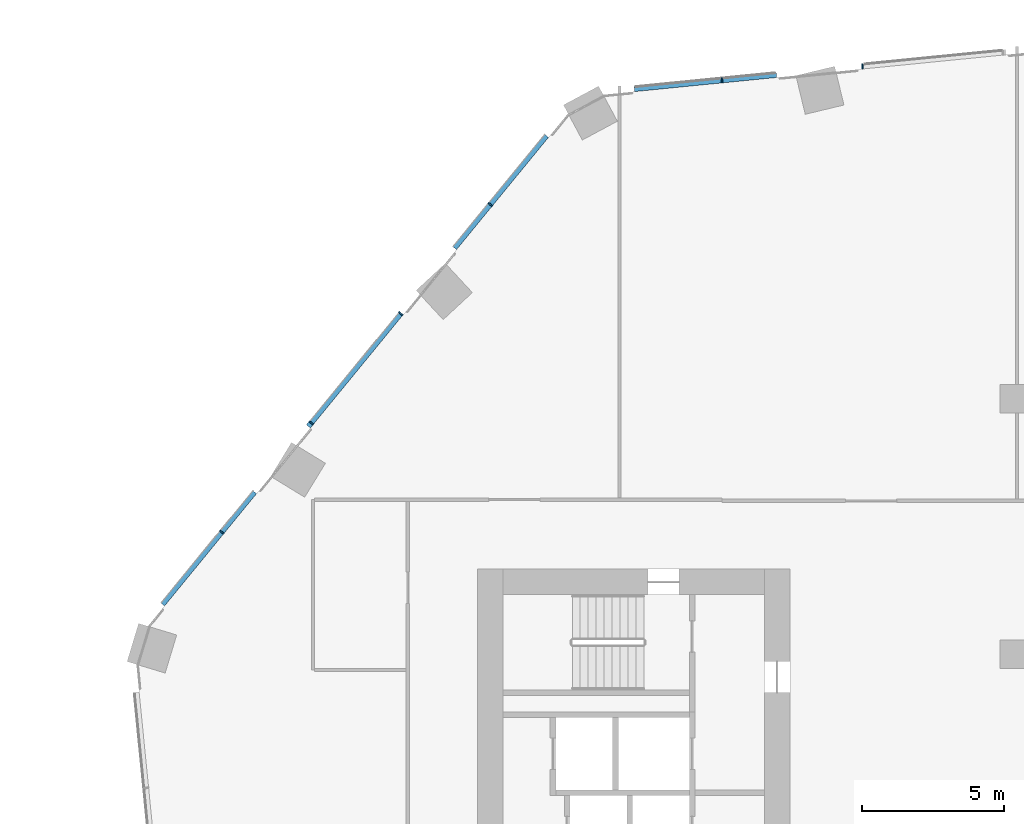
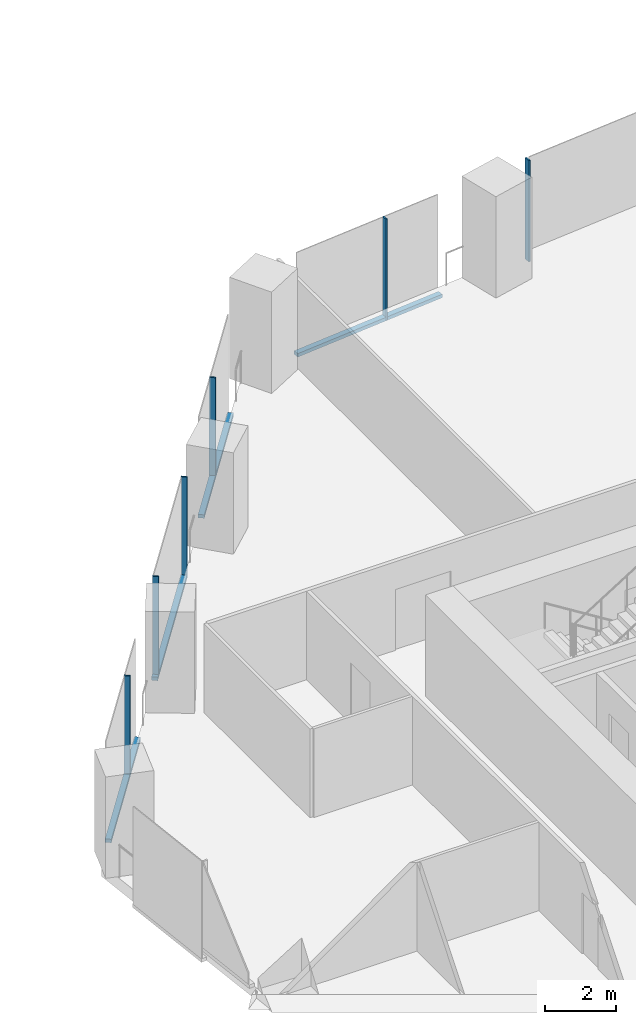
# One storey, part 11 of 34: 10 members, 2 elements without a shape of their own.
"""IFC4 building model written with IfcOpenShell, lengths in metres."""

from ifc_helpers import new_model, si_unit, direction, frame, origin, origin_2d, place, context, subcontext, project, spatial, rectangle, extrude, material, material_profile, profile_set, type_object, element, aggregate, save


model = new_model("IFC4")

# Units and contexts
model_context = context("Model", 3, precision=1e-05, world=origin(), true_north=direction((0.0, 1.0)))
body_context = subcontext(model_context, "Body", "Model", "MODEL_VIEW")
ifc_project = project(units=[si_unit("LENGTHUNIT", "METRE"), si_unit("AREAUNIT", "SQUARE_METRE"), si_unit("VOLUMEUNIT", "CUBIC_METRE"), si_unit("PLANEANGLEUNIT", "RADIAN"), si_unit("MASSUNIT", "GRAM", prefix="KILO")], contexts=[model_context])

# Site, building, storey
site_placement = place(None, origin())
site = spatial("IfcSite", under=ifc_project, at=site_placement, CompositionType="ELEMENT")
building_placement = place(site_placement, origin())
building = spatial("IfcBuilding", under=site, at=building_placement, Name="Orlundy Tower", CompositionType="ELEMENT")
storey_placement = place(building_placement, frame((0.0, 0.0, 37.300048828125)))
storey = spatial("IfcBuildingStorey", under=building, at=storey_placement, Name="L07", CompositionType="ELEMENT", Elevation=37.300048828125)

# Curtain wall, members
ifc_material_1 = material(Name="Aluminium bronze anodised", Category="aluminium")
curtain_wall_type = type_object("IfcCurtainWallType", Name="CW1 wall", PredefinedType="NOTDEFINED", material=ifc_material_1)
curtain_wall_1_placement = place(storey_placement, origin())
curtain_wall_1 = element("IfcCurtainWall", 1, at=curtain_wall_1_placement, inside=storey, type_object=curtain_wall_type, Name="CW1 run 02", PredefinedType="NOTDEFINED")
ifc_material_2 = material(Name="Aluminium bronze anodised", Category="aluminium")
ifc_material_profile_1 = material_profile(ifc_material_2, rectangle(XDim=0.179931640625, YDim=0.050048828125, at=origin_2d()), Name="CW1 mullion 50x180")
ifc_profile_set_1 = profile_set([ifc_material_profile_1], Name="Aluminium bronze anodised")
member_type_1 = type_object("IfcMemberType", Name="CW1 mullion 50x180", PredefinedType="MULLION", material=ifc_profile_set_1)
member_1_placement = place(storey_placement, frame((-27.999267578125, 13.3046875, -0.420166015625), z_axis=(0.0, 0.0, 1.0), x_axis=(-0.773482002143, 0.633818264458, 0.0)))
member_1 = element("IfcMember", 2, at=member_1_placement, type_object=member_type_1, Name="CW1 mullion 10", PredefinedType="MULLION", context=body_context, shape_type="SweptSolid", body=[
    extrude(rectangle(XDim=0.179931640625, YDim=0.050048828125, at=origin_2d()), origin(), (0.0, 0.0, 1.0), 3.5),
])
member_2_placement = place(storey_placement, frame((-24.848876953125, 17.149169921875, -0.420166015625), z_axis=(0.0, 0.0, 1.0), x_axis=(-0.773482002143, 0.633818264458, 0.0)))
member_2 = element("IfcMember", 3, at=member_2_placement, type_object=member_type_1, Name="CW1 mullion 11", PredefinedType="MULLION", context=body_context, shape_type="SweptSolid", body=[
    extrude(rectangle(XDim=0.179931640625, YDim=0.050048828125, at=origin_2d()), origin(), (0.0, 0.0, 1.0), 3.5),
])
member_3_placement = place(storey_placement, frame((-21.698486328125, 20.993896484375, -0.420166015625), z_axis=(0.0, 0.0, 1.0), x_axis=(-0.773482002143, 0.633818264458, 0.0)))
member_3 = element("IfcMember", 4, at=member_3_placement, type_object=member_type_1, Name="CW1 mullion 12", PredefinedType="MULLION", context=body_context, shape_type="SweptSolid", body=[
    extrude(rectangle(XDim=0.179931640625, YDim=0.050048828125, at=origin_2d()), origin(), (0.0, 0.0, 1.0), 3.5),
])
member_4_placement = place(storey_placement, frame((-18.548095703125, 24.83837890625, -0.420166015625), z_axis=(0.0, 0.0, 1.0), x_axis=(-0.773482002143, 0.633818264458, 0.0)))
member_4 = element("IfcMember", 5, at=member_4_placement, type_object=member_type_1, Name="CW1 mullion 13", PredefinedType="MULLION", context=body_context, shape_type="SweptSolid", body=[
    extrude(rectangle(XDim=0.179931640625, YDim=0.050048828125, at=origin_2d()), origin(), (0.0, 0.0, 1.0), 3.5),
])

curtain_wall_2_placement = place(storey_placement, origin())
curtain_wall_2 = element("IfcCurtainWall", 6, at=curtain_wall_2_placement, inside=storey, type_object=curtain_wall_type, Name="CW1 run 03", PredefinedType="NOTDEFINED")
member_5_placement = place(storey_placement, frame((-10.390625, 29.206298828125, -0.420166015625), z_axis=(0.0, 0.0, 1.0), x_axis=(-0.098742763424, 0.995112991912, 0.0)))
member_5 = element("IfcMember", 7, at=member_5_placement, type_object=member_type_1, Name="CW1 mullion 15", PredefinedType="MULLION", context=body_context, shape_type="SweptSolid", body=[
    extrude(rectangle(XDim=0.179931640625, YDim=0.050048828125, at=origin_2d()), origin(), (0.0, 0.0, 1.0), 3.5),
])
member_6_placement = place(storey_placement, frame((-5.444580078125, 29.697265625, -0.420166015625), z_axis=(0.0, 0.0, 1.0), x_axis=(-0.098742763424, 0.995112991912, 0.0)))
member_6 = element("IfcMember", 8, at=member_6_placement, type_object=member_type_1, Name="CW1 mullion 16", PredefinedType="MULLION", context=body_context, shape_type="SweptSolid", body=[
    extrude(rectangle(XDim=0.179931640625, YDim=0.050048828125, at=origin_2d()), origin(), (0.0, 0.0, 1.0), 3.5),
])

# Member
ifc_material_3 = material(Name="Aluminium bronze anodised", Category="aluminium")
ifc_material_profile_2 = material_profile(ifc_material_3, rectangle(XDim=0.179931640625, YDim=0.1201171875, at=origin_2d()), Name="CW1 transom 180x120")
ifc_profile_set_2 = profile_set([ifc_material_profile_2], Name="Aluminium bronze anodised")
member_type_2 = type_object("IfcMemberType", Name="CW1 transom 180x120", PredefinedType="USERDEFINED", material=ifc_profile_set_2)
member_7_placement = place(storey_placement, frame((-30.083740234375, 10.7607421875, -0.360107421875), z_axis=(0.633796814344, 0.773499578621, 0.0), x_axis=(-0.773499578621, 0.633796814344, 0.0)))
member_7 = element("IfcMember", 9, at=member_7_placement, type_object=member_type_2, Name="CW1 transom", ObjectType="TRANSOM", PredefinedType="USERDEFINED", context=body_context, shape_type="SweptSolid", body=[
    extrude(rectangle(XDim=0.179931640625, YDim=0.1201171875, at=origin_2d()), origin(), (0.0, 0.0, 1.0), 5.111572265625),
])

member_8_placement = place(storey_placement, frame((-24.949951171875, 17.02587890625, -0.360107421875), z_axis=(0.633825773843, 0.773475848629, 0.0), x_axis=(-0.773475848629, 0.633825773843, 0.0)))
member_8 = element("IfcMember", 10, at=member_8_placement, type_object=member_type_2, Name="CW1 transom", ObjectType="TRANSOM", PredefinedType="USERDEFINED", context=body_context, shape_type="SweptSolid", body=[
    extrude(rectangle(XDim=0.179931640625, YDim=0.1201171875, at=origin_2d()), origin(), (0.0, 0.0, 1.0), 5.131103515625),
])

member_9_placement = place(storey_placement, frame((-19.8046875, 23.304931640625, -0.360107421875), z_axis=(0.633830949918, 0.773471607059, 0.0), x_axis=(-0.773471607059, 0.633830949918, 0.0)))
member_9 = element("IfcMember", 11, at=member_9_placement, type_object=member_type_2, Name="CW1 transom", ObjectType="TRANSOM", PredefinedType="USERDEFINED", context=body_context, shape_type="SweptSolid", body=[
    extrude(rectangle(XDim=0.179931640625, YDim=0.1201171875, at=origin_2d()), origin(), (0.0, 0.0, 1.0), 5.108642578125),
])

aggregate(curtain_wall_1, [member_1, member_2, member_3, member_4, member_7, member_8, member_9])

member_10_placement = place(storey_placement, frame((-13.475341796875, 28.900390625, -0.360107421875), z_axis=(0.995113828743, 0.098734329616, 0.0), x_axis=(-0.098734329616, 0.995113828743, 0.0)))
member_10 = element("IfcMember", 12, at=member_10_placement, type_object=member_type_2, Name="CW1 transom", ObjectType="TRANSOM", PredefinedType="USERDEFINED", context=body_context, shape_type="SweptSolid", body=[
    extrude(rectangle(XDim=0.179931640625, YDim=0.1201171875, at=origin_2d()), origin(), (0.0, 0.0, 1.0), 5.027099609375),
])

aggregate(curtain_wall_2, [member_5, member_6, member_10])

save(model, "model.ifc")
